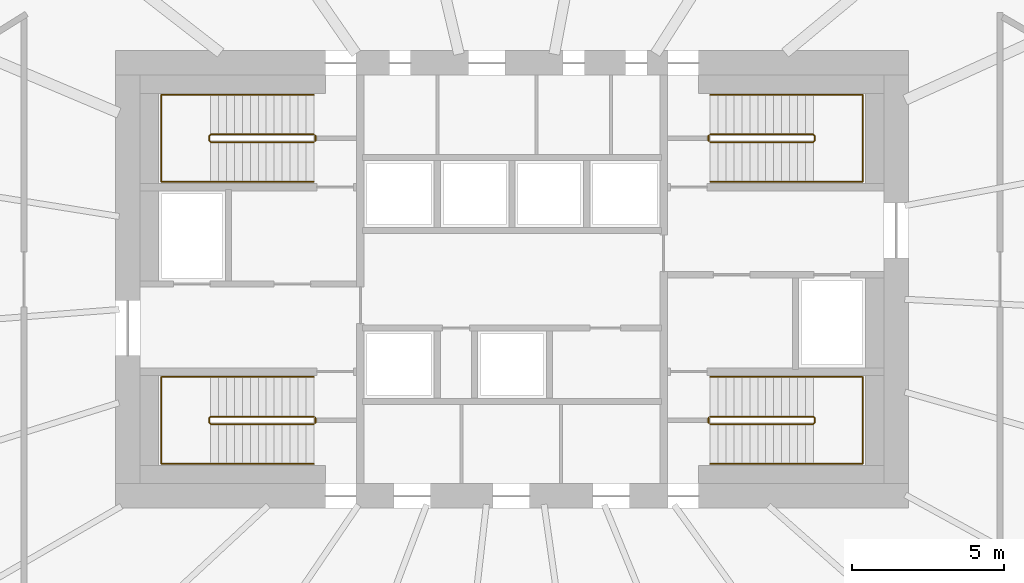
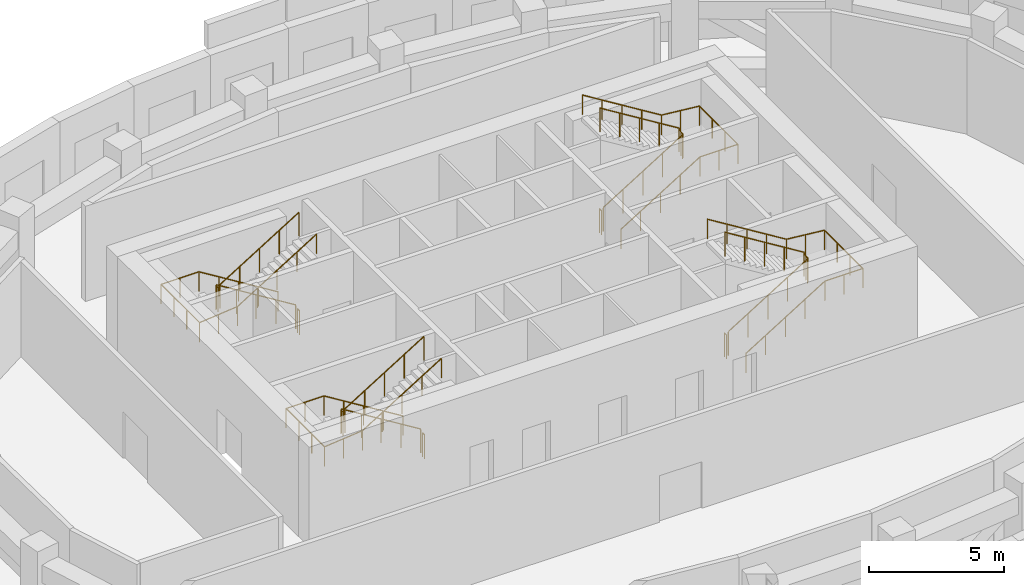
# One storey, part 9 of 9: 12 railings.
"""IFC4 building model written with IfcOpenShell, lengths in metres."""

from ifc_helpers import new_model, si_unit, direction, frame, origin, origin_2d, place, context, subcontext, project, spatial, circle, extrude, material, type_object, element, save


model = new_model("IFC4")

# Units and contexts
model_context = context("Model", 3, precision=1e-05, world=origin(), true_north=direction((0.0, 1.0)))
body_context = subcontext(model_context, "Body", "Model", "MODEL_VIEW")
ifc_project = project(units=[si_unit("LENGTHUNIT", "METRE"), si_unit("AREAUNIT", "SQUARE_METRE"), si_unit("VOLUMEUNIT", "CUBIC_METRE"), si_unit("PLANEANGLEUNIT", "RADIAN"), si_unit("MASSUNIT", "GRAM", prefix="KILO")], contexts=[model_context])

# Site, building, storey
site_placement = place(None, origin())
site = spatial("IfcSite", under=ifc_project, at=site_placement, CompositionType="ELEMENT")
building_placement = place(site_placement, origin())
building = spatial("IfcBuilding", under=site, at=building_placement, Name="Rubra Terraces Tower", CompositionType="ELEMENT")
storey_placement = place(building_placement, frame((0.0, 0.0, 216.89990234375)))
storey = spatial("IfcBuildingStorey", under=building, at=storey_placement, Name="L53", CompositionType="ELEMENT", Elevation=216.89990234375)

# Railings
ifc_material = material(Name="Stainless steel", Category="steel")
railing_type_1 = type_object("IfcRailingType", Name="Core stair guard 1100", PredefinedType="GUARDRAIL", material=ifc_material)
railing_1_placement = place(storey_placement, frame((-6.5, 0.0, 0.160888671875)))
element("IfcRailing", 1, at=railing_1_placement, inside=storey, type_object=railing_type_1, Name="L53 stair S1 guard 1", PredefinedType="GUARDRAIL", context=body_context, shape_type="SweptSolid", body=[
    extrude(circle(Radius=0.02392578125, at=origin_2d()), frame((0.0, 0.0, 1.076171875), z_axis=(-0.850625047429, 0.0, 0.525772791885), x_axis=(0.0, -1.0, 0.0)), (0.0, 0.0, 1.0), 3.973388671875),
    extrude(circle(Radius=0.02392578125, at=origin_2d()), frame((-3.3798828125, 0.0, 3.1650390625), z_axis=(-0.707106781187, -0.707106781187, 0.0), x_axis=(0.707106781187, -0.707106781187, 0.0)), (0.0, 0.0, 1.0), 0.07080078125),
    extrude(circle(Radius=0.02392578125, at=origin_2d()), frame((-3.429931640625, -0.050048828125, 3.1650390625), z_axis=(0.0, -1.0, 0.0), x_axis=(1.0, 0.0, 0.0)), (0.0, 0.0, 1.0), 0.14990234375),
    extrude(circle(Radius=0.02392578125, at=origin_2d()), frame((-3.429931640625, -0.199951171875, 3.1650390625), z_axis=(0.284741172642, -0.284741172642, 0.915338696443), x_axis=(0.707106781187, 0.707106781187, 0.0)), (0.0, 0.0, 1.0), 0.17578125),
    extrude(circle(Radius=0.02392578125, at=origin_2d()), frame((-3.3798828125, -0.25, 3.326171875), z_axis=(0.850625047429, 0.0, 0.525772791885), x_axis=(0.0, 1.0, 0.0)), (0.0, 0.0, 1.0), 3.973388671875),
    extrude(circle(Radius=0.02099609375, at=origin_2d()), origin(), (0.0, 0.0, 1.0), 1.052001953125),
    extrude(circle(Radius=0.02099609375, at=origin_2d()), frame((-0.844970703125, 0.0, 0.522216796875)), (0.0, 0.0, 1.0), 1.052001953125),
    extrude(circle(Radius=0.02099609375, at=origin_2d()), frame((-1.68994140625, 0.0, 1.04443359375)), (0.0, 0.0, 1.0), 1.052001953125),
    extrude(circle(Radius=0.02099609375, at=origin_2d()), frame((-2.534912109375, 0.0, 1.56689453125)), (0.0, 0.0, 1.0), 1.052001953125),
    extrude(circle(Radius=0.02099609375, at=origin_2d()), frame((-3.3798828125, 0.0, 2.089111328125)), (0.0, 0.0, 1.0), 1.052001953125),
    extrude(circle(Radius=0.02099609375, at=origin_2d()), frame((-3.429931640625, -0.050048828125, 2.089111328125)), (0.0, 0.0, 1.0), 1.052001953125),
    extrude(circle(Radius=0.02099609375, at=origin_2d()), frame((-3.429931640625, -0.199951171875, 2.089111328125)), (0.0, 0.0, 1.0), 1.052001953125),
    extrude(circle(Radius=0.02099609375, at=origin_2d()), frame((-3.3798828125, -0.25, 2.25)), (0.0, 0.0, 1.0), 1.052001953125),
    extrude(circle(Radius=0.02099609375, at=origin_2d()), frame((-2.534912109375, -0.25, 2.772216796875)), (0.0, 0.0, 1.0), 1.052001953125),
    extrude(circle(Radius=0.02099609375, at=origin_2d()), frame((-1.68994140625, -0.25, 3.29443359375)), (0.0, 0.0, 1.0), 1.052001953125),
    extrude(circle(Radius=0.02099609375, at=origin_2d()), frame((-0.844970703125, -0.25, 3.81689453125)), (0.0, 0.0, 1.0), 1.052001953125),
    extrude(circle(Radius=0.02099609375, at=origin_2d()), frame((0.0, -0.25, 4.339111328125)), (0.0, 0.0, 1.0), 1.052001953125),
])
railing_2_placement = place(storey_placement, frame((-6.449951171875, -0.050048828125, 0.0)))
element("IfcRailing", 2, at=railing_2_placement, inside=storey, type_object=railing_type_1, Name="L53 stair S1 guard 2", PredefinedType="GUARDRAIL", context=body_context, shape_type="SweptSolid", body=[
    extrude(circle(Radius=0.02392578125, at=origin_2d()), frame((0.0, 0.0, 1.076171875), z_axis=(0.0, -1.0, 0.0), x_axis=(1.0, 0.0, 0.0)), (0.0, 0.0, 1.0), 0.14990234375),
    extrude(circle(Radius=0.02099609375, at=origin_2d()), origin(), (0.0, 0.0, 1.0), 1.052001953125),
    extrude(circle(Radius=0.02099609375, at=origin_2d()), frame((0.0, -0.14990234375, 0.0)), (0.0, 0.0, 1.0), 1.052001953125),
])
railing_3_placement = place(storey_placement, frame((-6.5, 9.25, 0.160888671875)))
element("IfcRailing", 3, at=railing_3_placement, inside=storey, type_object=railing_type_1, Name="L53 stair S2 guard 1", PredefinedType="GUARDRAIL", context=body_context, shape_type="SweptSolid", body=[
    extrude(circle(Radius=0.02392578125, at=origin_2d()), frame((0.0, 0.0, 1.076171875), z_axis=(-0.850625047429, 0.0, 0.525772791885), x_axis=(0.0, -1.0, 0.0)), (0.0, 0.0, 1.0), 3.973388671875),
    extrude(circle(Radius=0.02392578125, at=origin_2d()), frame((-3.3798828125, 0.0, 3.1650390625), z_axis=(-0.707106781187, -0.707106781187, 0.0), x_axis=(0.707106781187, -0.707106781187, 0.0)), (0.0, 0.0, 1.0), 0.07080078125),
    extrude(circle(Radius=0.02392578125, at=origin_2d()), frame((-3.429931640625, -0.050048828125, 3.1650390625), z_axis=(0.0, -1.0, 0.0), x_axis=(1.0, 0.0, 0.0)), (0.0, 0.0, 1.0), 0.14990234375),
    extrude(circle(Radius=0.02392578125, at=origin_2d()), frame((-3.429931640625, -0.199951171875, 3.1650390625), z_axis=(0.284741172642, -0.284741172642, 0.915338696443), x_axis=(0.707106781187, 0.707106781187, 0.0)), (0.0, 0.0, 1.0), 0.17578125),
    extrude(circle(Radius=0.02392578125, at=origin_2d()), frame((-3.3798828125, -0.25, 3.326171875), z_axis=(0.850625047429, 0.0, 0.525772791885), x_axis=(0.0, 1.0, 0.0)), (0.0, 0.0, 1.0), 3.973388671875),
    extrude(circle(Radius=0.02099609375, at=origin_2d()), origin(), (0.0, 0.0, 1.0), 1.052001953125),
    extrude(circle(Radius=0.02099609375, at=origin_2d()), frame((-0.844970703125, 0.0, 0.522216796875)), (0.0, 0.0, 1.0), 1.052001953125),
    extrude(circle(Radius=0.02099609375, at=origin_2d()), frame((-1.68994140625, 0.0, 1.04443359375)), (0.0, 0.0, 1.0), 1.052001953125),
    extrude(circle(Radius=0.02099609375, at=origin_2d()), frame((-2.534912109375, 0.0, 1.56689453125)), (0.0, 0.0, 1.0), 1.052001953125),
    extrude(circle(Radius=0.02099609375, at=origin_2d()), frame((-3.3798828125, 0.0, 2.089111328125)), (0.0, 0.0, 1.0), 1.052001953125),
    extrude(circle(Radius=0.02099609375, at=origin_2d()), frame((-3.429931640625, -0.050048828125, 2.089111328125)), (0.0, 0.0, 1.0), 1.052001953125),
    extrude(circle(Radius=0.02099609375, at=origin_2d()), frame((-3.429931640625, -0.199951171875, 2.089111328125)), (0.0, 0.0, 1.0), 1.052001953125),
    extrude(circle(Radius=0.02099609375, at=origin_2d()), frame((-3.3798828125, -0.25, 2.25)), (0.0, 0.0, 1.0), 1.052001953125),
    extrude(circle(Radius=0.02099609375, at=origin_2d()), frame((-2.534912109375, -0.25, 2.772216796875)), (0.0, 0.0, 1.0), 1.052001953125),
    extrude(circle(Radius=0.02099609375, at=origin_2d()), frame((-1.68994140625, -0.25, 3.29443359375)), (0.0, 0.0, 1.0), 1.052001953125),
    extrude(circle(Radius=0.02099609375, at=origin_2d()), frame((-0.844970703125, -0.25, 3.81689453125)), (0.0, 0.0, 1.0), 1.052001953125),
    extrude(circle(Radius=0.02099609375, at=origin_2d()), frame((0.0, -0.25, 4.339111328125)), (0.0, 0.0, 1.0), 1.052001953125),
])
railing_4_placement = place(storey_placement, frame((-6.449951171875, 9.199951171875, 0.0)))
element("IfcRailing", 4, at=railing_4_placement, inside=storey, type_object=railing_type_1, Name="L53 stair S2 guard 2", PredefinedType="GUARDRAIL", context=body_context, shape_type="SweptSolid", body=[
    extrude(circle(Radius=0.02392578125, at=origin_2d()), frame((0.0, 0.0, 1.076171875), z_axis=(0.0, -1.0, 0.0), x_axis=(1.0, 0.0, 0.0)), (0.0, 0.0, 1.0), 0.14990234375),
    extrude(circle(Radius=0.02099609375, at=origin_2d()), origin(), (0.0, 0.0, 1.0), 1.052001953125),
    extrude(circle(Radius=0.02099609375, at=origin_2d()), frame((0.0, -0.14990234375, 0.0)), (0.0, 0.0, 1.0), 1.052001953125),
])
railing_5_placement = place(storey_placement, frame((6.5, 9.0, 0.160888671875)))
element("IfcRailing", 5, at=railing_5_placement, inside=storey, type_object=railing_type_1, Name="L53 stair S3 guard 1", PredefinedType="GUARDRAIL", context=body_context, shape_type="SweptSolid", body=[
    extrude(circle(Radius=0.02392578125, at=origin_2d()), frame((0.0, 0.0, 1.076171875), z_axis=(0.850625047429, 0.0, 0.525772791885), x_axis=(0.0, 1.0, 0.0)), (0.0, 0.0, 1.0), 3.973388671875),
    extrude(circle(Radius=0.02392578125, at=origin_2d()), frame((3.3798828125, 0.0, 3.1650390625), z_axis=(0.707106781187, 0.707106781187, 0.0), x_axis=(-0.707106781187, 0.707106781187, 0.0)), (0.0, 0.0, 1.0), 0.07080078125),
    extrude(circle(Radius=0.02392578125, at=origin_2d()), frame((3.429931640625, 0.050048828125, 3.1650390625), z_axis=(0.0, 1.0, 0.0), x_axis=(-1.0, 0.0, 0.0)), (0.0, 0.0, 1.0), 0.14990234375),
    extrude(circle(Radius=0.02392578125, at=origin_2d()), frame((3.429931640625, 0.199951171875, 3.1650390625), z_axis=(-0.284741172642, 0.284741172642, 0.915338696443), x_axis=(-0.707106781187, -0.707106781187, 0.0)), (0.0, 0.0, 1.0), 0.17578125),
    extrude(circle(Radius=0.02392578125, at=origin_2d()), frame((3.3798828125, 0.25, 3.326171875), z_axis=(-0.850625047429, 0.0, 0.525772791885), x_axis=(0.0, -1.0, 0.0)), (0.0, 0.0, 1.0), 3.973388671875),
    extrude(circle(Radius=0.02099609375, at=origin_2d()), origin(), (0.0, 0.0, 1.0), 1.052001953125),
    extrude(circle(Radius=0.02099609375, at=origin_2d()), frame((0.844970703125, 0.0, 0.522216796875)), (0.0, 0.0, 1.0), 1.052001953125),
    extrude(circle(Radius=0.02099609375, at=origin_2d()), frame((1.68994140625, 0.0, 1.04443359375)), (0.0, 0.0, 1.0), 1.052001953125),
    extrude(circle(Radius=0.02099609375, at=origin_2d()), frame((2.534912109375, 0.0, 1.56689453125)), (0.0, 0.0, 1.0), 1.052001953125),
    extrude(circle(Radius=0.02099609375, at=origin_2d()), frame((3.3798828125, 0.0, 2.089111328125)), (0.0, 0.0, 1.0), 1.052001953125),
    extrude(circle(Radius=0.02099609375, at=origin_2d()), frame((3.429931640625, 0.050048828125, 2.089111328125)), (0.0, 0.0, 1.0), 1.052001953125),
    extrude(circle(Radius=0.02099609375, at=origin_2d()), frame((3.429931640625, 0.199951171875, 2.089111328125)), (0.0, 0.0, 1.0), 1.052001953125),
    extrude(circle(Radius=0.02099609375, at=origin_2d()), frame((3.3798828125, 0.25, 2.25)), (0.0, 0.0, 1.0), 1.052001953125),
    extrude(circle(Radius=0.02099609375, at=origin_2d()), frame((2.534912109375, 0.25, 2.772216796875)), (0.0, 0.0, 1.0), 1.052001953125),
    extrude(circle(Radius=0.02099609375, at=origin_2d()), frame((1.68994140625, 0.25, 3.29443359375)), (0.0, 0.0, 1.0), 1.052001953125),
    extrude(circle(Radius=0.02099609375, at=origin_2d()), frame((0.844970703125, 0.25, 3.81689453125)), (0.0, 0.0, 1.0), 1.052001953125),
    extrude(circle(Radius=0.02099609375, at=origin_2d()), frame((0.0, 0.25, 4.339111328125)), (0.0, 0.0, 1.0), 1.052001953125),
])
railing_6_placement = place(storey_placement, frame((6.449951171875, 9.050048828125, 0.0)))
element("IfcRailing", 6, at=railing_6_placement, inside=storey, type_object=railing_type_1, Name="L53 stair S3 guard 2", PredefinedType="GUARDRAIL", context=body_context, shape_type="SweptSolid", body=[
    extrude(circle(Radius=0.02392578125, at=origin_2d()), frame((0.0, 0.0, 1.076171875), z_axis=(0.0, 1.0, 0.0), x_axis=(-1.0, 0.0, 0.0)), (0.0, 0.0, 1.0), 0.14990234375),
    extrude(circle(Radius=0.02099609375, at=origin_2d()), origin(), (0.0, 0.0, 1.0), 1.052001953125),
    extrude(circle(Radius=0.02099609375, at=origin_2d()), frame((0.0, 0.14990234375, 0.0)), (0.0, 0.0, 1.0), 1.052001953125),
])
railing_7_placement = place(storey_placement, frame((6.5, -0.25, 0.160888671875)))
element("IfcRailing", 7, at=railing_7_placement, inside=storey, type_object=railing_type_1, Name="L53 stair S4 guard 1", PredefinedType="GUARDRAIL", context=body_context, shape_type="SweptSolid", body=[
    extrude(circle(Radius=0.02392578125, at=origin_2d()), frame((0.0, 0.0, 1.076171875), z_axis=(0.850625047429, 0.0, 0.525772791885), x_axis=(0.0, 1.0, 0.0)), (0.0, 0.0, 1.0), 3.973388671875),
    extrude(circle(Radius=0.02392578125, at=origin_2d()), frame((3.3798828125, 0.0, 3.1650390625), z_axis=(0.707106781187, 0.707106781187, 0.0), x_axis=(-0.707106781187, 0.707106781187, 0.0)), (0.0, 0.0, 1.0), 0.07080078125),
    extrude(circle(Radius=0.02392578125, at=origin_2d()), frame((3.429931640625, 0.050048828125, 3.1650390625), z_axis=(0.0, 1.0, 0.0), x_axis=(-1.0, 0.0, 0.0)), (0.0, 0.0, 1.0), 0.14990234375),
    extrude(circle(Radius=0.02392578125, at=origin_2d()), frame((3.429931640625, 0.199951171875, 3.1650390625), z_axis=(-0.284741172642, 0.284741172642, 0.915338696443), x_axis=(-0.707106781187, -0.707106781187, 0.0)), (0.0, 0.0, 1.0), 0.17578125),
    extrude(circle(Radius=0.02392578125, at=origin_2d()), frame((3.3798828125, 0.25, 3.326171875), z_axis=(-0.850625047429, 0.0, 0.525772791885), x_axis=(0.0, -1.0, 0.0)), (0.0, 0.0, 1.0), 3.973388671875),
    extrude(circle(Radius=0.02099609375, at=origin_2d()), origin(), (0.0, 0.0, 1.0), 1.052001953125),
    extrude(circle(Radius=0.02099609375, at=origin_2d()), frame((0.844970703125, 0.0, 0.522216796875)), (0.0, 0.0, 1.0), 1.052001953125),
    extrude(circle(Radius=0.02099609375, at=origin_2d()), frame((1.68994140625, 0.0, 1.04443359375)), (0.0, 0.0, 1.0), 1.052001953125),
    extrude(circle(Radius=0.02099609375, at=origin_2d()), frame((2.534912109375, 0.0, 1.56689453125)), (0.0, 0.0, 1.0), 1.052001953125),
    extrude(circle(Radius=0.02099609375, at=origin_2d()), frame((3.3798828125, 0.0, 2.089111328125)), (0.0, 0.0, 1.0), 1.052001953125),
    extrude(circle(Radius=0.02099609375, at=origin_2d()), frame((3.429931640625, 0.050048828125, 2.089111328125)), (0.0, 0.0, 1.0), 1.052001953125),
    extrude(circle(Radius=0.02099609375, at=origin_2d()), frame((3.429931640625, 0.199951171875, 2.089111328125)), (0.0, 0.0, 1.0), 1.052001953125),
    extrude(circle(Radius=0.02099609375, at=origin_2d()), frame((3.3798828125, 0.25, 2.25)), (0.0, 0.0, 1.0), 1.052001953125),
    extrude(circle(Radius=0.02099609375, at=origin_2d()), frame((2.534912109375, 0.25, 2.772216796875)), (0.0, 0.0, 1.0), 1.052001953125),
    extrude(circle(Radius=0.02099609375, at=origin_2d()), frame((1.68994140625, 0.25, 3.29443359375)), (0.0, 0.0, 1.0), 1.052001953125),
    extrude(circle(Radius=0.02099609375, at=origin_2d()), frame((0.844970703125, 0.25, 3.81689453125)), (0.0, 0.0, 1.0), 1.052001953125),
    extrude(circle(Radius=0.02099609375, at=origin_2d()), frame((0.0, 0.25, 4.339111328125)), (0.0, 0.0, 1.0), 1.052001953125),
])
railing_8_placement = place(storey_placement, frame((6.449951171875, -0.199951171875, 0.0)))
element("IfcRailing", 8, at=railing_8_placement, inside=storey, type_object=railing_type_1, Name="L53 stair S4 guard 2", PredefinedType="GUARDRAIL", context=body_context, shape_type="SweptSolid", body=[
    extrude(circle(Radius=0.02392578125, at=origin_2d()), frame((0.0, 0.0, 1.076171875), z_axis=(0.0, 1.0, 0.0), x_axis=(-1.0, 0.0, 0.0)), (0.0, 0.0, 1.0), 0.14990234375),
    extrude(circle(Radius=0.02099609375, at=origin_2d()), origin(), (0.0, 0.0, 1.0), 1.052001953125),
    extrude(circle(Radius=0.02099609375, at=origin_2d()), frame((0.0, 0.14990234375, 0.0)), (0.0, 0.0, 1.0), 1.052001953125),
])
railing_type_2 = type_object("IfcRailingType", Name="Core stair handrail 900", PredefinedType="HANDRAIL", material=ifc_material)
railing_9_placement = place(storey_placement, frame((-6.5, 1.300048828125, 0.160888671875)))
element("IfcRailing", 9, at=railing_9_placement, inside=storey, type_object=railing_type_2, Name="L53 stair S1 handrail 1", PredefinedType="HANDRAIL", context=body_context, shape_type="SweptSolid", body=[
    extrude(circle(Radius=0.02392578125, at=origin_2d()), frame((0.0, 0.0, 0.8759765625), z_axis=(-0.850625047429, 0.0, 0.525772791885), x_axis=(0.0, -1.0, 0.0)), (0.0, 0.0, 1.0), 3.973388671875),
    extrude(circle(Radius=0.02392578125, at=origin_2d()), frame((-3.3798828125, 0.0, 2.96484375), z_axis=(-1.0, 0.0, 0.0), x_axis=(0.0, -1.0, 0.0)), (0.0, 0.0, 1.0), 1.6201171875),
    extrude(circle(Radius=0.02392578125, at=origin_2d()), frame((-5.0, 0.0, 2.96484375), z_axis=(0.0, -1.0, 0.0), x_axis=(1.0, 0.0, 0.0)), (0.0, 0.0, 1.0), 2.85009765625),
    extrude(circle(Radius=0.02392578125, at=origin_2d()), frame((-5.0, -2.85009765625, 2.96484375), z_axis=(0.995105252428, 0.0, 0.098820729558), x_axis=(0.0, 1.0, 0.0)), (0.0, 0.0, 1.0), 1.628173828125),
    extrude(circle(Radius=0.02392578125, at=origin_2d()), frame((-3.3798828125, -2.85009765625, 3.1259765625), z_axis=(0.850625047429, 0.0, 0.525772791885), x_axis=(0.0, 1.0, 0.0)), (0.0, 0.0, 1.0), 3.973388671875),
    extrude(circle(Radius=0.02099609375, at=origin_2d()), origin(), (0.0, 0.0, 1.0), 0.851806640625),
    extrude(circle(Radius=0.02099609375, at=origin_2d()), frame((-0.844970703125, 0.0, 0.522216796875)), (0.0, 0.0, 1.0), 0.851806640625),
    extrude(circle(Radius=0.02099609375, at=origin_2d()), frame((-1.68994140625, 0.0, 1.04443359375)), (0.0, 0.0, 1.0), 0.851806640625),
    extrude(circle(Radius=0.02099609375, at=origin_2d()), frame((-2.534912109375, 0.0, 1.56689453125)), (0.0, 0.0, 1.0), 0.851806640625),
    extrude(circle(Radius=0.02099609375, at=origin_2d()), frame((-3.3798828125, 0.0, 2.089111328125)), (0.0, 0.0, 1.0), 0.851806640625),
    extrude(circle(Radius=0.02099609375, at=origin_2d()), frame((-4.18994140625, 0.0, 2.089111328125)), (0.0, 0.0, 1.0), 0.851806640625),
    extrude(circle(Radius=0.02099609375, at=origin_2d()), frame((-5.0, 0.0, 2.089111328125)), (0.0, 0.0, 1.0), 0.851806640625),
    extrude(circle(Radius=0.02099609375, at=origin_2d()), frame((-5.0, -0.949951171875, 2.089111328125)), (0.0, 0.0, 1.0), 0.851806640625),
    extrude(circle(Radius=0.02099609375, at=origin_2d()), frame((-5.0, -1.900146484375, 2.089111328125)), (0.0, 0.0, 1.0), 0.851806640625),
    extrude(circle(Radius=0.02099609375, at=origin_2d()), frame((-5.0, -2.85009765625, 2.089111328125)), (0.0, 0.0, 1.0), 0.851806640625),
    extrude(circle(Radius=0.02099609375, at=origin_2d()), frame((-4.18994140625, -2.85009765625, 2.16943359375)), (0.0, 0.0, 1.0), 0.851806640625),
    extrude(circle(Radius=0.02099609375, at=origin_2d()), frame((-3.3798828125, -2.85009765625, 2.25)), (0.0, 0.0, 1.0), 0.851806640625),
    extrude(circle(Radius=0.02099609375, at=origin_2d()), frame((-2.534912109375, -2.85009765625, 2.772216796875)), (0.0, 0.0, 1.0), 0.851806640625),
    extrude(circle(Radius=0.02099609375, at=origin_2d()), frame((-1.68994140625, -2.85009765625, 3.29443359375)), (0.0, 0.0, 1.0), 0.851806640625),
    extrude(circle(Radius=0.02099609375, at=origin_2d()), frame((-0.844970703125, -2.85009765625, 3.81689453125)), (0.0, 0.0, 1.0), 0.851806640625),
    extrude(circle(Radius=0.02099609375, at=origin_2d()), frame((0.0, -2.85009765625, 4.339111328125)), (0.0, 0.0, 1.0), 0.851806640625),
])
railing_10_placement = place(storey_placement, frame((-6.5, 10.550048828125, 0.160888671875)))
element("IfcRailing", 10, at=railing_10_placement, inside=storey, type_object=railing_type_2, Name="L53 stair S2 handrail 1", PredefinedType="HANDRAIL", context=body_context, shape_type="SweptSolid", body=[
    extrude(circle(Radius=0.02392578125, at=origin_2d()), frame((0.0, 0.0, 0.8759765625), z_axis=(-0.850625047429, 0.0, 0.525772791885), x_axis=(0.0, -1.0, 0.0)), (0.0, 0.0, 1.0), 3.973388671875),
    extrude(circle(Radius=0.02392578125, at=origin_2d()), frame((-3.3798828125, 0.0, 2.96484375), z_axis=(-1.0, 0.0, 0.0), x_axis=(0.0, -1.0, 0.0)), (0.0, 0.0, 1.0), 1.6201171875),
    extrude(circle(Radius=0.02392578125, at=origin_2d()), frame((-5.0, 0.0, 2.96484375), z_axis=(0.0, -1.0, 0.0), x_axis=(1.0, 0.0, 0.0)), (0.0, 0.0, 1.0), 2.85009765625),
    extrude(circle(Radius=0.02392578125, at=origin_2d()), frame((-5.0, -2.85009765625, 2.96484375), z_axis=(0.995105252428, 0.0, 0.098820729558), x_axis=(0.0, 1.0, 0.0)), (0.0, 0.0, 1.0), 1.628173828125),
    extrude(circle(Radius=0.02392578125, at=origin_2d()), frame((-3.3798828125, -2.85009765625, 3.1259765625), z_axis=(0.850625047429, 0.0, 0.525772791885), x_axis=(0.0, 1.0, 0.0)), (0.0, 0.0, 1.0), 3.973388671875),
    extrude(circle(Radius=0.02099609375, at=origin_2d()), origin(), (0.0, 0.0, 1.0), 0.851806640625),
    extrude(circle(Radius=0.02099609375, at=origin_2d()), frame((-0.844970703125, 0.0, 0.522216796875)), (0.0, 0.0, 1.0), 0.851806640625),
    extrude(circle(Radius=0.02099609375, at=origin_2d()), frame((-1.68994140625, 0.0, 1.04443359375)), (0.0, 0.0, 1.0), 0.851806640625),
    extrude(circle(Radius=0.02099609375, at=origin_2d()), frame((-2.534912109375, 0.0, 1.56689453125)), (0.0, 0.0, 1.0), 0.851806640625),
    extrude(circle(Radius=0.02099609375, at=origin_2d()), frame((-3.3798828125, 0.0, 2.089111328125)), (0.0, 0.0, 1.0), 0.851806640625),
    extrude(circle(Radius=0.02099609375, at=origin_2d()), frame((-4.18994140625, 0.0, 2.089111328125)), (0.0, 0.0, 1.0), 0.851806640625),
    extrude(circle(Radius=0.02099609375, at=origin_2d()), frame((-5.0, 0.0, 2.089111328125)), (0.0, 0.0, 1.0), 0.851806640625),
    extrude(circle(Radius=0.02099609375, at=origin_2d()), frame((-5.0, -0.949951171875, 2.089111328125)), (0.0, 0.0, 1.0), 0.851806640625),
    extrude(circle(Radius=0.02099609375, at=origin_2d()), frame((-5.0, -1.900146484375, 2.089111328125)), (0.0, 0.0, 1.0), 0.851806640625),
    extrude(circle(Radius=0.02099609375, at=origin_2d()), frame((-5.0, -2.85009765625, 2.089111328125)), (0.0, 0.0, 1.0), 0.851806640625),
    extrude(circle(Radius=0.02099609375, at=origin_2d()), frame((-4.18994140625, -2.85009765625, 2.16943359375)), (0.0, 0.0, 1.0), 0.851806640625),
    extrude(circle(Radius=0.02099609375, at=origin_2d()), frame((-3.3798828125, -2.85009765625, 2.25)), (0.0, 0.0, 1.0), 0.851806640625),
    extrude(circle(Radius=0.02099609375, at=origin_2d()), frame((-2.534912109375, -2.85009765625, 2.772216796875)), (0.0, 0.0, 1.0), 0.851806640625),
    extrude(circle(Radius=0.02099609375, at=origin_2d()), frame((-1.68994140625, -2.85009765625, 3.29443359375)), (0.0, 0.0, 1.0), 0.851806640625),
    extrude(circle(Radius=0.02099609375, at=origin_2d()), frame((-0.844970703125, -2.85009765625, 3.81689453125)), (0.0, 0.0, 1.0), 0.851806640625),
    extrude(circle(Radius=0.02099609375, at=origin_2d()), frame((0.0, -2.85009765625, 4.339111328125)), (0.0, 0.0, 1.0), 0.851806640625),
])
railing_11_placement = place(storey_placement, frame((6.5, 7.699951171875, 0.160888671875)))
element("IfcRailing", 11, at=railing_11_placement, inside=storey, type_object=railing_type_2, Name="L53 stair S3 handrail 1", PredefinedType="HANDRAIL", context=body_context, shape_type="SweptSolid", body=[
    extrude(circle(Radius=0.02392578125, at=origin_2d()), frame((0.0, 0.0, 0.8759765625), z_axis=(0.850625047429, 0.0, 0.525772791885), x_axis=(0.0, 1.0, 0.0)), (0.0, 0.0, 1.0), 3.973388671875),
    extrude(circle(Radius=0.02392578125, at=origin_2d()), frame((3.3798828125, 0.0, 2.96484375), z_axis=(1.0, 0.0, 0.0), x_axis=(0.0, 1.0, 0.0)), (0.0, 0.0, 1.0), 1.6201171875),
    extrude(circle(Radius=0.02392578125, at=origin_2d()), frame((5.0, 0.0, 2.96484375), z_axis=(0.0, 1.0, 0.0), x_axis=(-1.0, 0.0, 0.0)), (0.0, 0.0, 1.0), 2.85009765625),
    extrude(circle(Radius=0.02392578125, at=origin_2d()), frame((5.0, 2.85009765625, 2.96484375), z_axis=(-0.995105252428, 0.0, 0.098820729558), x_axis=(0.0, -1.0, 0.0)), (0.0, 0.0, 1.0), 1.628173828125),
    extrude(circle(Radius=0.02392578125, at=origin_2d()), frame((3.3798828125, 2.85009765625, 3.1259765625), z_axis=(-0.850625047429, 0.0, 0.525772791885), x_axis=(0.0, -1.0, 0.0)), (0.0, 0.0, 1.0), 3.973388671875),
    extrude(circle(Radius=0.02099609375, at=origin_2d()), origin(), (0.0, 0.0, 1.0), 0.851806640625),
    extrude(circle(Radius=0.02099609375, at=origin_2d()), frame((0.844970703125, 0.0, 0.522216796875)), (0.0, 0.0, 1.0), 0.851806640625),
    extrude(circle(Radius=0.02099609375, at=origin_2d()), frame((1.68994140625, 0.0, 1.04443359375)), (0.0, 0.0, 1.0), 0.851806640625),
    extrude(circle(Radius=0.02099609375, at=origin_2d()), frame((2.534912109375, 0.0, 1.56689453125)), (0.0, 0.0, 1.0), 0.851806640625),
    extrude(circle(Radius=0.02099609375, at=origin_2d()), frame((3.3798828125, 0.0, 2.089111328125)), (0.0, 0.0, 1.0), 0.851806640625),
    extrude(circle(Radius=0.02099609375, at=origin_2d()), frame((4.18994140625, 0.0, 2.089111328125)), (0.0, 0.0, 1.0), 0.851806640625),
    extrude(circle(Radius=0.02099609375, at=origin_2d()), frame((5.0, 0.0, 2.089111328125)), (0.0, 0.0, 1.0), 0.851806640625),
    extrude(circle(Radius=0.02099609375, at=origin_2d()), frame((5.0, 0.949951171875, 2.089111328125)), (0.0, 0.0, 1.0), 0.851806640625),
    extrude(circle(Radius=0.02099609375, at=origin_2d()), frame((5.0, 1.900146484375, 2.089111328125)), (0.0, 0.0, 1.0), 0.851806640625),
    extrude(circle(Radius=0.02099609375, at=origin_2d()), frame((5.0, 2.85009765625, 2.089111328125)), (0.0, 0.0, 1.0), 0.851806640625),
    extrude(circle(Radius=0.02099609375, at=origin_2d()), frame((4.18994140625, 2.85009765625, 2.16943359375)), (0.0, 0.0, 1.0), 0.851806640625),
    extrude(circle(Radius=0.02099609375, at=origin_2d()), frame((3.3798828125, 2.85009765625, 2.25)), (0.0, 0.0, 1.0), 0.851806640625),
    extrude(circle(Radius=0.02099609375, at=origin_2d()), frame((2.534912109375, 2.85009765625, 2.772216796875)), (0.0, 0.0, 1.0), 0.851806640625),
    extrude(circle(Radius=0.02099609375, at=origin_2d()), frame((1.68994140625, 2.85009765625, 3.29443359375)), (0.0, 0.0, 1.0), 0.851806640625),
    extrude(circle(Radius=0.02099609375, at=origin_2d()), frame((0.844970703125, 2.85009765625, 3.81689453125)), (0.0, 0.0, 1.0), 0.851806640625),
    extrude(circle(Radius=0.02099609375, at=origin_2d()), frame((0.0, 2.85009765625, 4.339111328125)), (0.0, 0.0, 1.0), 0.851806640625),
])
railing_12_placement = place(storey_placement, frame((6.5, -1.550048828125, 0.160888671875)))
element("IfcRailing", 12, at=railing_12_placement, inside=storey, type_object=railing_type_2, Name="L53 stair S4 handrail 1", PredefinedType="HANDRAIL", context=body_context, shape_type="SweptSolid", body=[
    extrude(circle(Radius=0.02392578125, at=origin_2d()), frame((0.0, 0.0, 0.8759765625), z_axis=(0.850625047429, 0.0, 0.525772791885), x_axis=(0.0, 1.0, 0.0)), (0.0, 0.0, 1.0), 3.973388671875),
    extrude(circle(Radius=0.02392578125, at=origin_2d()), frame((3.3798828125, 0.0, 2.96484375), z_axis=(1.0, 0.0, 0.0), x_axis=(0.0, 1.0, 0.0)), (0.0, 0.0, 1.0), 1.6201171875),
    extrude(circle(Radius=0.02392578125, at=origin_2d()), frame((5.0, 0.0, 2.96484375), z_axis=(0.0, 1.0, 0.0), x_axis=(-1.0, 0.0, 0.0)), (0.0, 0.0, 1.0), 2.85009765625),
    extrude(circle(Radius=0.02392578125, at=origin_2d()), frame((5.0, 2.85009765625, 2.96484375), z_axis=(-0.995105252428, 0.0, 0.098820729558), x_axis=(0.0, -1.0, 0.0)), (0.0, 0.0, 1.0), 1.628173828125),
    extrude(circle(Radius=0.02392578125, at=origin_2d()), frame((3.3798828125, 2.85009765625, 3.1259765625), z_axis=(-0.850625047429, 0.0, 0.525772791885), x_axis=(0.0, -1.0, 0.0)), (0.0, 0.0, 1.0), 3.973388671875),
    extrude(circle(Radius=0.02099609375, at=origin_2d()), origin(), (0.0, 0.0, 1.0), 0.851806640625),
    extrude(circle(Radius=0.02099609375, at=origin_2d()), frame((0.844970703125, 0.0, 0.522216796875)), (0.0, 0.0, 1.0), 0.851806640625),
    extrude(circle(Radius=0.02099609375, at=origin_2d()), frame((1.68994140625, 0.0, 1.04443359375)), (0.0, 0.0, 1.0), 0.851806640625),
    extrude(circle(Radius=0.02099609375, at=origin_2d()), frame((2.534912109375, 0.0, 1.56689453125)), (0.0, 0.0, 1.0), 0.851806640625),
    extrude(circle(Radius=0.02099609375, at=origin_2d()), frame((3.3798828125, 0.0, 2.089111328125)), (0.0, 0.0, 1.0), 0.851806640625),
    extrude(circle(Radius=0.02099609375, at=origin_2d()), frame((4.18994140625, 0.0, 2.089111328125)), (0.0, 0.0, 1.0), 0.851806640625),
    extrude(circle(Radius=0.02099609375, at=origin_2d()), frame((5.0, 0.0, 2.089111328125)), (0.0, 0.0, 1.0), 0.851806640625),
    extrude(circle(Radius=0.02099609375, at=origin_2d()), frame((5.0, 0.949951171875, 2.089111328125)), (0.0, 0.0, 1.0), 0.851806640625),
    extrude(circle(Radius=0.02099609375, at=origin_2d()), frame((5.0, 1.900146484375, 2.089111328125)), (0.0, 0.0, 1.0), 0.851806640625),
    extrude(circle(Radius=0.02099609375, at=origin_2d()), frame((5.0, 2.85009765625, 2.089111328125)), (0.0, 0.0, 1.0), 0.851806640625),
    extrude(circle(Radius=0.02099609375, at=origin_2d()), frame((4.18994140625, 2.85009765625, 2.16943359375)), (0.0, 0.0, 1.0), 0.851806640625),
    extrude(circle(Radius=0.02099609375, at=origin_2d()), frame((3.3798828125, 2.85009765625, 2.25)), (0.0, 0.0, 1.0), 0.851806640625),
    extrude(circle(Radius=0.02099609375, at=origin_2d()), frame((2.534912109375, 2.85009765625, 2.772216796875)), (0.0, 0.0, 1.0), 0.851806640625),
    extrude(circle(Radius=0.02099609375, at=origin_2d()), frame((1.68994140625, 2.85009765625, 3.29443359375)), (0.0, 0.0, 1.0), 0.851806640625),
    extrude(circle(Radius=0.02099609375, at=origin_2d()), frame((0.844970703125, 2.85009765625, 3.81689453125)), (0.0, 0.0, 1.0), 0.851806640625),
    extrude(circle(Radius=0.02099609375, at=origin_2d()), frame((0.0, 2.85009765625, 4.339111328125)), (0.0, 0.0, 1.0), 0.851806640625),
])

save(model, "model.ifc")
